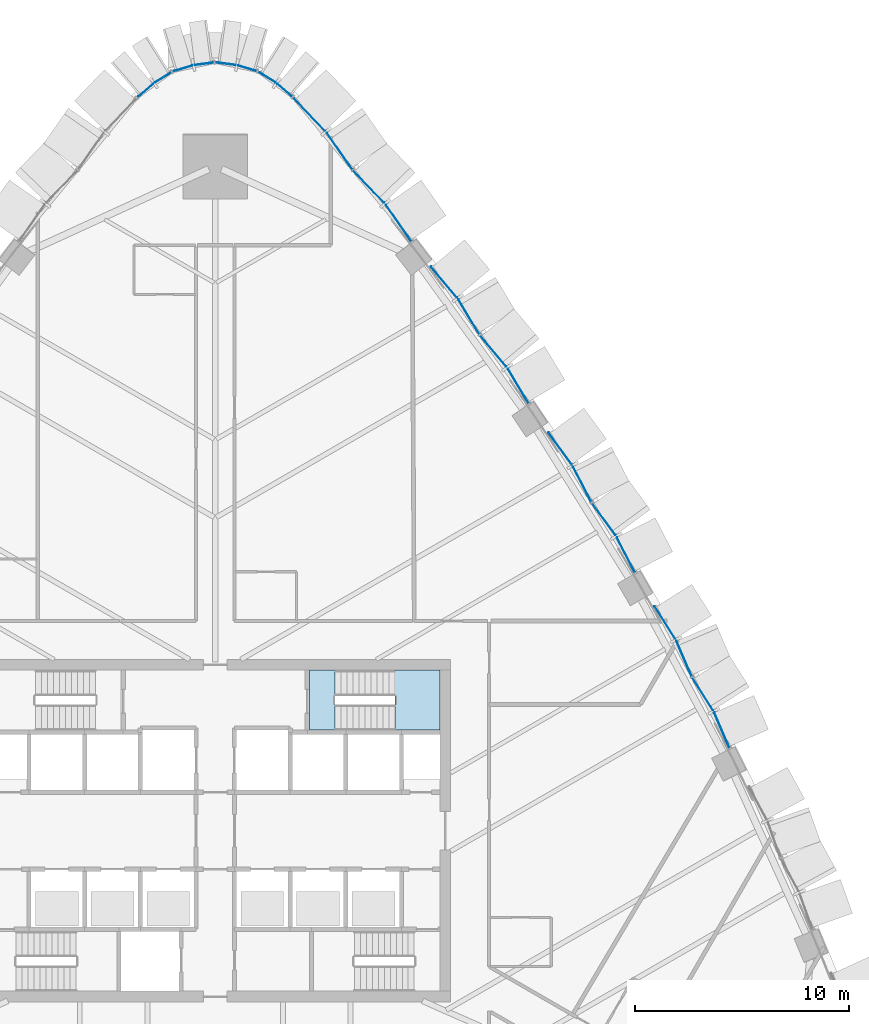
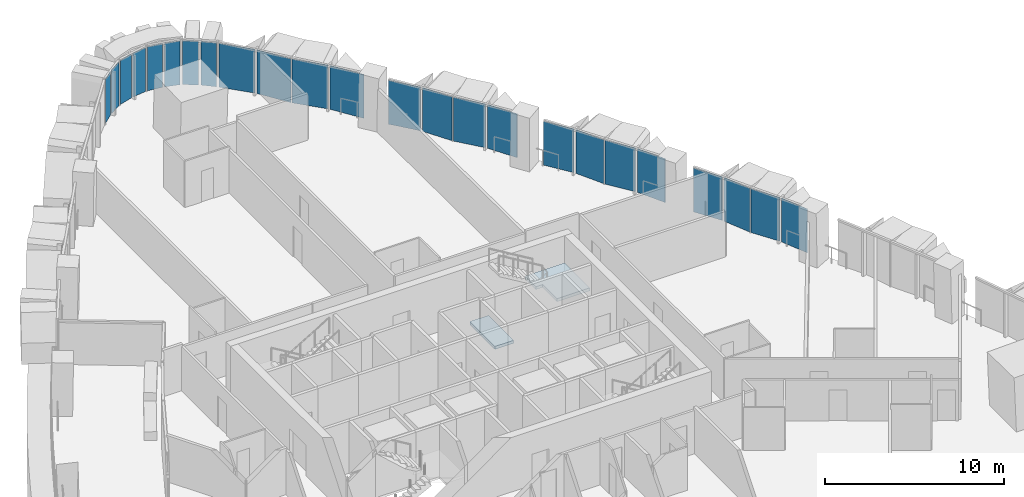
# One storey, part 13 of 24: 24 plates, 2 slabs, 9 elements without a shape of their own.
"""IFC4 building model written with IfcOpenShell, lengths in metres."""

import ifcopenshell
import ifcopenshell.guid

model = None  # the IFC model being written
_history = None  # IfcOwnerHistory: only IFC2X3 demands one
_inside = {}  # id of a spatial element -> (the spatial element, [elements in it])
_under = {}  # id of a project, library or spatial element -> (it, [spatial elements below it])
_declared = {}  # id of a project -> (the project, [libraries it declares])
_typed = {}  # id of a type object -> (the type object, [elements of that type])
_made_of = {}  # id of a material, layer set ... -> (it, [elements and type objects made of it])


def new_model(schema):
    """Start an empty IFC model of exactly this schema.

    Asked for "IFC4X3", IfcOpenShell would pick the latest addendum, in which some entities
    have other attributes; the version numbers below select the first issue.
    IFC2X3 requires an IfcOwnerHistory on every rooted entity: one is made here for all.
    """
    global model, _history
    if schema == "IFC4X3":
        model = ifcopenshell.file(schema_version=(4, 3, 0, 0))
    else:
        model = ifcopenshell.file(schema=schema)
    _inside.clear()
    _under.clear()
    _declared.clear()
    _typed.clear()
    _made_of.clear()
    _history = None
    if model.schema == "IFC2X3":
        org = make("IfcOrganization", Name="unknown")
        user = make(
            "IfcPersonAndOrganization",
            ThePerson=make("IfcPerson", FamilyName="unknown"),
            TheOrganization=org,
        )
        app = make(
            "IfcApplication",
            ApplicationDeveloper=org,
            Version="unknown",
            ApplicationFullName="unknown",
            ApplicationIdentifier="unknown",
        )
        _history = make(
            "IfcOwnerHistory",
            OwningUser=user,
            OwningApplication=app,
            ChangeAction="ADDED",
            CreationDate=0,
        )
    return model


def make(cls, **values):
    """One entity of the class cls with the attributes given. An attribute that is None is left unset."""
    return model.create_entity(
        cls, **{name: value for name, value in values.items() if value is not None}
    )


def rooted(cls, **values):
    """An entity with a GlobalId (a new one), such as an element, a storey or a relation."""
    return make(cls, GlobalId=ifcopenshell.guid.new(), OwnerHistory=_history, **values)


def si_unit(unit_type, name, prefix=None):
    """IfcSIUnit, for example si_unit("LENGTHUNIT", "METRE", prefix="MILLI")."""
    return make("IfcSIUnit", UnitType=unit_type, Prefix=prefix, Name=name)


def assignment(units):
    """IfcUnitAssignment: the units of a project."""
    return None if units is None else make("IfcUnitAssignment", Units=units)


def point(xyz):
    """IfcCartesianPoint."""
    return None if xyz is None else make("IfcCartesianPoint", Coordinates=xyz)


def direction(xyz):
    """IfcDirection."""
    return None if xyz is None else make("IfcDirection", DirectionRatios=xyz)


def frame(location, z_axis=None, x_axis=None):
    """IfcAxis2Placement3D, a coordinate frame: its origin and axes. An axis left out is left unset."""
    return make(
        "IfcAxis2Placement3D",
        Location=point(location),
        Axis=direction(z_axis),
        RefDirection=direction(x_axis),
    )


def origin():
    """The frame at (0, 0, 0) with its axes left unset."""
    return frame((0.0, 0.0, 0.0))


def place(relative_to, where):
    """IfcLocalPlacement: puts the frame where relative to a parent placement (None: the world)."""
    return make(
        "IfcLocalPlacement", PlacementRelTo=relative_to, RelativePlacement=where
    )


def context(
    kind, dimensions, precision=None, world=None, true_north=None, identifier=None
):
    """IfcGeometricRepresentationContext, for example the 3D "Model" context."""
    return make(
        "IfcGeometricRepresentationContext",
        ContextIdentifier=identifier,
        ContextType=kind,
        CoordinateSpaceDimension=dimensions,
        Precision=precision,
        WorldCoordinateSystem=world,
        TrueNorth=true_north,
    )


def subcontext(parent, identifier, kind, view, scale=None):
    """IfcGeometricRepresentationSubContext, for example "Body" below "Model"."""
    return make(
        "IfcGeometricRepresentationSubContext",
        ContextIdentifier=identifier,
        ContextType=kind,
        ParentContext=parent,
        TargetScale=scale,
        TargetView=view,
    )


def project(units=None, contexts=None):
    """IfcProject with its units and contexts."""
    return rooted(
        "IfcProject",
        Name="project",
        RepresentationContexts=contexts,
        UnitsInContext=assignment(units),
    )


def spatial(cls, under=None, at=None, **own):
    """A site, building, storey or space (cls), placed at a placement, below another one or the project."""
    s = rooted(cls, ObjectPlacement=at, **own)
    if under is not None:
        _under.setdefault(under.id(), (under, []))[1].append(s)
    return s


def polyline(points):
    """IfcPolyline through the points."""
    return make("IfcPolyline", Points=[point(p) for p in points])


def outline(outer, holes=None, kind="AREA"):
    """IfcArbitraryClosedProfileDef: a profile drawn as a closed curve; with holes, ...WithVoids."""
    if holes is None:
        return make("IfcArbitraryClosedProfileDef", ProfileType=kind, OuterCurve=outer)
    return make(
        "IfcArbitraryProfileDefWithVoids",
        ProfileType=kind,
        OuterCurve=outer,
        InnerCurves=holes,
    )


def extrude(swept, where, along, depth):
    """IfcExtrudedAreaSolid: the profile swept, set in the frame where, extruded along a direction by depth."""
    return make(
        "IfcExtrudedAreaSolid",
        SweptArea=swept,
        Position=where,
        ExtrudedDirection=direction(along),
        Depth=depth,
    )


def shape(context_of_items, identifier, shape_type, items):
    """IfcShapeRepresentation: the items that make up one representation, for example the "Body"."""
    return make(
        "IfcShapeRepresentation",
        ContextOfItems=context_of_items,
        RepresentationIdentifier=identifier,
        RepresentationType=shape_type,
        Items=items,
    )


def material(Name=None, Category=None):
    """IfcMaterial."""
    return make("IfcMaterial", Name=Name, Category=Category)


def layer(
    of_material, thickness, ventilated=None, Name=None, Category=None, Priority=None
):
    """IfcMaterialLayer: one layer of a wall or slab, of a material (None: an air gap)."""
    return make(
        "IfcMaterialLayer",
        Material=of_material,
        LayerThickness=thickness,
        IsVentilated=ventilated,
        Name=Name,
        Category=Category,
        Priority=Priority,
    )


def layer_set(layers, Name=None):
    """IfcMaterialLayerSet."""
    return make("IfcMaterialLayerSet", MaterialLayers=layers, LayerSetName=Name)


def made_of(thing, what):
    """Note that an element or type object is made of a material, layer set ...; save() writes the relation."""
    if what is not None:
        _made_of.setdefault(what.id(), (what, []))[1].append(thing)
    return thing


def type_object(cls, material=None, **own):
    """A type object (cls), such as IfcWallType, which elements share."""
    return made_of(rooted(cls, **own), material)


def element(
    cls,
    number,
    at=None,
    inside=None,
    cuts=None,
    type_object=None,
    material=None,
    context=None,
    identifier="Body",
    shape_type=None,
    held_by="IfcProductDefinitionShape",
    body=None,
    shapes=None,
    **own,
):
    """One element of the class cls, such as IfcWall. Its Tag is "e" and its number.

    at: its placement. inside: the storey or other place that contains it. cuts: it is an
    opening in that element (IfcRelVoidsElement). A single representation is given by context,
    identifier, shape_type and body (its items); several are given by shapes. held_by: the class
    of the entity that holds the representations. save() writes the other relations.
    """
    e = rooted(cls, Tag="e%d" % number, ObjectPlacement=at, **own)
    if body is not None:
        shapes = [shape(context, identifier, shape_type, body)]
    if shapes is not None:
        e.Representation = make(held_by, Representations=shapes)
    if inside is not None:
        _inside.setdefault(inside.id(), (inside, []))[1].append(e)
    if cuts is not None:
        rooted(
            "IfcRelVoidsElement", RelatingBuildingElement=cuts, RelatedOpeningElement=e
        )
    if type_object is not None:
        _typed.setdefault(type_object.id(), (type_object, []))[1].append(e)
    return made_of(e, material)


def aggregate(whole, parts):
    """IfcRelAggregates: a whole, such as a stair, and the parts it consists of."""
    return rooted("IfcRelAggregates", RelatingObject=whole, RelatedObjects=parts)


def save(model, path):
    """Write the relations noted so far, then the file.

    IfcRelAggregates (storeys below a building ...), IfcRelContainedInSpatialStructure (elements
    in a storey), IfcRelDefinesByType, IfcRelAssociatesMaterial and IfcRelDeclares: one each for
    every whole, place, type object, material and project.
    """
    for whole, parts in _under.values():
        aggregate(whole, parts)
    for where, things in _inside.values():
        rooted(
            "IfcRelContainedInSpatialStructure",
            RelatedElements=things,
            RelatingStructure=where,
        )
    for kind, things in _typed.values():
        rooted("IfcRelDefinesByType", RelatedObjects=things, RelatingType=kind)
    for what, things in _made_of.values():
        rooted("IfcRelAssociatesMaterial", RelatedObjects=things, RelatingMaterial=what)
    for by, libraries in _declared.values():
        rooted("IfcRelDeclares", RelatingContext=by, RelatedDefinitions=libraries)
    model.write(path)


model = new_model("IFC4")

# Units and contexts
model_context = context("Model", 3, precision=1e-05, world=origin(), true_north=direction((0.0, 1.0)))
body_context = subcontext(model_context, "Body", "Model", "MODEL_VIEW")
ifc_project = project(units=[si_unit("LENGTHUNIT", "METRE"), si_unit("AREAUNIT", "SQUARE_METRE"), si_unit("VOLUMEUNIT", "CUBIC_METRE"), si_unit("PLANEANGLEUNIT", "RADIAN"), si_unit("MASSUNIT", "GRAM", prefix="KILO")], contexts=[model_context])

# Site, building, storey
site_placement = place(None, origin())
site = spatial("IfcSite", under=ifc_project, at=site_placement, CompositionType="ELEMENT")
building_placement = place(site_placement, origin())
building = spatial("IfcBuilding", under=site, at=building_placement, Name="Sierra Prisma Convention Tower", CompositionType="ELEMENT")
storey_placement = place(building_placement, frame((0.0, 0.0, 59.10009765625)))
storey = spatial("IfcBuildingStorey", under=building, at=storey_placement, Name="L10", CompositionType="ELEMENT", Elevation=59.10009765625)

# Curtain wall, plates
ifc_material_1 = material(Name="Aluminium and glass curtain wall", Category="aluminium")
ifc_layer_1 = layer(ifc_material_1, 0.179931640625)
ifc_layer_set_1 = layer_set([ifc_layer_1], Name="CW-2 Faceted crystal curtain wall")
curtain_wall_type = type_object("IfcCurtainWallType", Name="CW-2 Faceted crystal curtain wall", PredefinedType="NOTDEFINED", material=ifc_layer_set_1)
curtain_wall_1_placement = place(storey_placement, origin())
curtain_wall_1 = element("IfcCurtainWall", 1, at=curtain_wall_1_placement, inside=storey, type_object=curtain_wall_type, Name="CW-2 NE3 L10", PredefinedType="NOTDEFINED")
ifc_material_2 = material(Name="Tinted glass bronze-grey IGU", Category="glass")
ifc_layer_2 = layer(ifc_material_2, 0.028076171875)
ifc_layer_set_2 = layer_set([ifc_layer_2], Name="CW-2 crystal pane")
plate_type = type_object("IfcPlateType", Name="CW-2 crystal pane", PredefinedType="CURTAIN_PANEL", material=ifc_layer_set_2)
plate_1_placement = place(storey_placement, frame((24.045166015625, 3.87841796875, 0.0), z_axis=(0.917952079129, 0.396691291084, 0.0), x_axis=(-0.396691291084, 0.917952079129, 0.0)))
plate_1 = element("IfcPlate", 2, at=plate_1_placement, type_object=plate_type, Name="CW-2 pane NE3.1.1", PredefinedType="CURTAIN_PANEL", context=body_context, shape_type="SweptSolid", body=[
    extrude(outline(polyline([(0.0, 0.0), (1.7952453687050594, 0.0), (1.7952453687050594, 2.97998046875), (0.0, 2.97998046875), (0.0, 0.0)])), origin(), (0.0, 0.0, -1.0), 0.028076171875),
])
plate_2_placement = place(storey_placement, frame((22.311279296875, 7.1572265625, 0.0), z_axis=(0.844573082444, 0.535440293974, 0.0), x_axis=(0.535440293974, -0.844573082444, 0.0)))
plate_2 = element("IfcPlate", 3, at=plate_2_placement, type_object=plate_type, Name="CW-2 pane NE3.1.2", PredefinedType="CURTAIN_PANEL", context=body_context, shape_type="SweptSolid", body=[
    extrude(outline(polyline([(0.0, 0.0), (1.79512384749833, 0.0), (1.79512384749833, -2.97998046875), (0.0, -2.97998046875), (0.0, 0.0)])), origin(), (0.0, 0.0, -1.0), 0.028076171875),
])
plate_3_placement = place(storey_placement, frame((22.278564453125, 7.21923828125, 0.0), z_axis=(0.917952079129, 0.396691291084, 0.0), x_axis=(-0.396691291084, 0.917952079129, 0.0)))
plate_3 = element("IfcPlate", 4, at=plate_3_placement, type_object=plate_type, Name="CW-2 pane NE3.2.1", PredefinedType="CURTAIN_PANEL", context=body_context, shape_type="SweptSolid", body=[
    extrude(outline(polyline([(0.0, 0.0), (1.7952453687050594, 0.0), (1.7952453687050594, 2.97998046875), (0.0, 2.97998046875), (0.0, 0.0)])), origin(), (0.0, 0.0, -1.0), 0.028076171875),
])
plate_4_placement = place(storey_placement, frame((20.544677734375, 10.498046875, 0.0), z_axis=(0.844612067029, 0.535378796956, 0.0), x_axis=(0.535378796956, -0.844612067029, 0.0)))
plate_4 = element("IfcPlate", 5, at=plate_4_placement, type_object=plate_type, Name="CW-2 pane NE3.2.2", PredefinedType="CURTAIN_PANEL", context=body_context, shape_type="SweptSolid", body=[
    extrude(outline(polyline([(0.0, 0.0), (1.7953300468576698, 0.0), (1.7953300468576698, -2.9799804687499996), (0.0, -2.9799804687499996), (0.0, 0.0)])), origin(), (0.0, 0.0, -1.0), 0.028076171875),
])
aggregate(curtain_wall_1, [plate_1, plate_2, plate_3, plate_4])

curtain_wall_2_placement = place(storey_placement, origin())
curtain_wall_2 = element("IfcCurtainWall", 6, at=curtain_wall_2_placement, inside=storey, type_object=curtain_wall_type, Name="CW-2 NE4 L10", PredefinedType="NOTDEFINED")
plate_5_placement = place(storey_placement, frame((19.626220703125, 12.06982421875, 0.0), z_axis=(0.889266295341, 0.457389829326, 0.0), x_axis=(-0.457389829326, 0.889266295341, 0.0)))
plate_5 = element("IfcPlate", 7, at=plate_5_placement, type_object=plate_type, Name="CW-2 pane NE4.1.1", PredefinedType="CURTAIN_PANEL", context=body_context, shape_type="SweptSolid", body=[
    extrude(outline(polyline([(0.0, 0.0), (1.8468415962464484, 0.0), (1.8468415962464484, 2.97998046875), (0.0, 2.97998046875), (0.0, 0.0)])), origin(), (0.0, 0.0, -1.0), 0.028076171875),
])
plate_6_placement = place(storey_placement, frame((17.6220703125, 15.3125, 0.0), z_axis=(0.80675366825, 0.590887907107, 0.0), x_axis=(0.590887907107, -0.80675366825, 0.0)))
plate_6 = element("IfcPlate", 8, at=plate_6_placement, type_object=plate_type, Name="CW-2 pane NE4.1.2", PredefinedType="CURTAIN_PANEL", context=body_context, shape_type="SweptSolid", body=[
    extrude(outline(polyline([(0.0, 0.0), (1.8468961382074172, 0.0), (1.8468961382074172, -2.9799804687500004), (0.0, -2.9799804687500004), (0.0, 0.0)])), origin(), (0.0, 0.0, -1.0), 0.028076171875),
])
plate_7_placement = place(storey_placement, frame((17.585205078125, 15.3720703125, 0.0), z_axis=(0.889293946085, 0.457336066209, 0.0), x_axis=(-0.457336066209, 0.889293946085, 0.0)))
plate_7 = element("IfcPlate", 9, at=plate_7_placement, type_object=plate_type, Name="CW-2 pane NE4.2.1", PredefinedType="CURTAIN_PANEL", context=body_context, shape_type="SweptSolid", body=[
    extrude(outline(polyline([(0.0, 0.0), (1.8470587056511176, 0.0), (1.8470587056511176, 2.97998046875), (0.0, 2.97998046875), (0.0, 0.0)])), origin(), (0.0, 0.0, -1.0), 0.028076171875),
])
plate_8_placement = place(storey_placement, frame((15.5810546875, 18.614990234375, 0.0), z_axis=(0.806799814701, 0.59082489707, 0.0), x_axis=(0.59082489707, -0.806799814701, 0.0)))
plate_8 = element("IfcPlate", 10, at=plate_8_placement, type_object=plate_type, Name="CW-2 pane NE4.2.2", PredefinedType="CURTAIN_PANEL", context=body_context, shape_type="SweptSolid", body=[
    extrude(outline(polyline([(0.0, 0.0), (1.8470931051856165, 0.0), (1.8470931051856165, -2.97998046875), (0.0, -2.97998046875), (0.0, 0.0)])), origin(), (0.0, 0.0, -1.0), 0.028076171875),
])
aggregate(curtain_wall_2, [plate_5, plate_6, plate_7, plate_8])

curtain_wall_3_placement = place(storey_placement, origin())
curtain_wall_3 = element("IfcCurtainWall", 11, at=curtain_wall_3_placement, inside=storey, type_object=curtain_wall_type, Name="CW-2 NE5 L10", PredefinedType="NOTDEFINED")
plate_9_placement = place(storey_placement, frame((14.659423828125, 19.981201171875, 0.0), z_axis=(0.856591289348, 0.515995506777, 0.0), x_axis=(-0.515995506777, 0.856591289348, 0.0)))
plate_9 = element("IfcPlate", 12, at=plate_9_placement, type_object=plate_type, Name="CW-2 pane NE5.1.1", PredefinedType="CURTAIN_PANEL", context=body_context, shape_type="SweptSolid", body=[
    extrude(outline(polyline([(0.0, 0.0), (1.8902137403629105, 0.0), (1.8902137403629105, 2.97998046875), (0.0, 2.97998046875), (0.0, 0.0)])), origin(), (0.0, 0.0, -1.0), 0.028076171875),
])
plate_10_placement = place(storey_placement, frame((12.391845703125, 23.15234375, 0.0), z_axis=(0.765312926536, 0.643658391133, 0.0), x_axis=(0.643658391133, -0.765312926536, 0.0)))
plate_10 = element("IfcPlate", 13, at=plate_10_placement, type_object=plate_type, Name="CW-2 pane NE5.1.2", PredefinedType="CURTAIN_PANEL", context=body_context, shape_type="SweptSolid", body=[
    extrude(outline(polyline([(0.0, 0.0), (1.8904389218903825, 0.0), (1.8904389218903825, -2.97998046875), (0.0, -2.97998046875), (0.0, 0.0)])), origin(), (0.0, 0.0, -1.0), 0.028076171875),
])
plate_11_placement = place(storey_placement, frame((12.351318359375, 23.209228515625, 0.0), z_axis=(0.8565341994, 0.516090268517, 0.0), x_axis=(-0.516090268517, 0.8565341994, 0.0)))
plate_11 = element("IfcPlate", 14, at=plate_11_placement, type_object=plate_type, Name="CW-2 pane NE5.2.1", PredefinedType="CURTAIN_PANEL", context=body_context, shape_type="SweptSolid", body=[
    extrude(outline(polyline([(0.0, 0.0), (1.8903397273964129, 0.0), (1.8903397273964129, 2.97998046875), (0.0, 2.97998046875), (0.0, 0.0)])), origin(), (0.0, 0.0, -1.0), 0.028076171875),
])
plate_12_placement = place(storey_placement, frame((10.083740234375, 26.38037109375, 0.0), z_axis=(0.765259414354, 0.643722012007, 0.0), x_axis=(0.643722012007, -0.765259414354, 0.0)))
plate_12 = element("IfcPlate", 15, at=plate_12_placement, type_object=plate_type, Name="CW-2 pane NE5.2.2", PredefinedType="CURTAIN_PANEL", context=body_context, shape_type="SweptSolid", body=[
    extrude(outline(polyline([(0.0, 0.0), (1.8902520844461033, 0.0), (1.8902520844461033, -2.97998046875), (0.0, -2.97998046875), (0.0, 0.0)])), origin(), (0.0, 0.0, -1.0), 0.028076171875),
])
aggregate(curtain_wall_3, [plate_9, plate_10, plate_11, plate_12])

curtain_wall_4_placement = place(storey_placement, origin())
curtain_wall_4 = element("IfcCurtainWall", 16, at=curtain_wall_4_placement, inside=storey, type_object=curtain_wall_type, Name="CW-2 NE6 L10", PredefinedType="NOTDEFINED")
plate_13_placement = place(storey_placement, frame((9.17919921875, 27.552001953125, 0.0), z_axis=(0.819974693186, 0.5723997751, 0.0), x_axis=(-0.5723997751, 0.819974693186, 0.0)))
plate_13 = element("IfcPlate", 17, at=plate_13_placement, type_object=plate_type, Name="CW-2 pane NE6.1.1", PredefinedType="CURTAIN_PANEL", context=body_context, shape_type="SweptSolid", body=[
    extrude(outline(polyline([(0.0, 0.0), (2.082702900549157, 0.0), (2.082702900549157, 2.97998046875), (0.0, 2.97998046875), (0.0, 0.0)])), origin(), (0.0, 0.0, -1.0), 0.028076171875),
])
plate_14_placement = place(storey_placement, frame((6.4599609375, 30.8603515625, 0.0), z_axis=(0.72034190232, 0.693619163347, 0.0), x_axis=(0.693619163347, -0.72034190232, 0.0)))
plate_14 = element("IfcPlate", 18, at=plate_14_placement, type_object=plate_type, Name="CW-2 pane NE6.1.2", PredefinedType="CURTAIN_PANEL", context=body_context, shape_type="SweptSolid", body=[
    extrude(outline(polyline([(0.0, 0.0), (2.0830223487171535, 0.0), (2.0830223487171535, -2.97998046875), (0.0, -2.97998046875), (0.0, 0.0)])), origin(), (0.0, 0.0, -1.0), 0.028076171875),
])
plate_15_placement = place(storey_placement, frame((6.41552734375, 30.914306640625, 0.0), z_axis=(0.82001309476, 0.572344760107, 0.0), x_axis=(-0.572344760107, 0.82001309476, 0.0)))
plate_15 = element("IfcPlate", 19, at=plate_15_placement, type_object=plate_type, Name="CW-2 pane NE6.2.1", PredefinedType="CURTAIN_PANEL", context=body_context, shape_type="SweptSolid", body=[
    extrude(outline(polyline([(0.0, 0.0), (2.0829030943711535, 0.0), (2.0829030943711535, 2.9799804687500004), (0.0, 2.9799804687500004), (0.0, 0.0)])), origin(), (0.0, 0.0, -1.0), 0.028076171875),
])
plate_16_placement = place(storey_placement, frame((3.696533203125, 34.22265625, 0.0), z_axis=(0.720344075118, 0.693616906831, 0.0), x_axis=(0.693616906831, -0.720344075118, 0.0)))
plate_16 = element("IfcPlate", 20, at=plate_16_placement, type_object=plate_type, Name="CW-2 pane NE6.2.2", PredefinedType="CURTAIN_PANEL", context=body_context, shape_type="SweptSolid", body=[
    extrude(outline(polyline([(0.0, 0.0), (2.0826771433890747, 0.0), (2.0826771433890747, -2.97998046875), (0.0, -2.97998046875), (0.0, 0.0)])), origin(), (0.0, 0.0, -1.0), 0.028076171875),
])
aggregate(curtain_wall_4, [plate_13, plate_14, plate_15, plate_16])

curtain_wall_5_placement = place(storey_placement, origin())
curtain_wall_5 = element("IfcCurtainWall", 21, at=curtain_wall_5_placement, inside=storey, type_object=curtain_wall_type, Name="CW-2 N1 L10", PredefinedType="NOTDEFINED")
plate_17_placement = place(storey_placement, frame((3.595947265625, 34.318603515625, 0.0), z_axis=(0.655887607971, 0.75485856007, 0.0), x_axis=(-0.75485856007, 0.655887607971, 0.0)))
plate_17 = element("IfcPlate", 22, at=plate_17_placement, type_object=plate_type, Name="CW-2 pane N1.1.1", PredefinedType="CURTAIN_PANEL", context=body_context, shape_type="SweptSolid", body=[
    extrude(outline(polyline([(0.0, 0.0), (0.8929782362973879, 0.0), (0.8929782362973879, 2.97998046875), (0.0, 2.97998046875), (0.0, 0.0)])), origin(), (0.0, 0.0, -1.0), 0.028076171875),
])
plate_18_placement = place(storey_placement, frame((2.060302734375, 35.45458984375, 0.0), z_axis=(0.529851479671, 0.848090448885, 0.0), x_axis=(0.848090448885, -0.529851479671, 0.0)))
plate_18 = element("IfcPlate", 23, at=plate_18_placement, type_object=plate_type, Name="CW-2 pane N1.1.2", PredefinedType="CURTAIN_PANEL", context=body_context, shape_type="SweptSolid", body=[
    extrude(outline(polyline([(0.0, 0.0), (0.8929757666124428, 0.0), (0.8929757666124428, -2.97998046875), (0.0, -2.97998046875), (0.0, 0.0)])), origin(), (0.0, 0.0, -1.0), 0.028076171875),
])
aggregate(curtain_wall_5, [plate_17, plate_18])

curtain_wall_6_placement = place(storey_placement, origin())
curtain_wall_6 = element("IfcCurtainWall", 24, at=curtain_wall_6_placement, inside=storey, type_object=curtain_wall_type, Name="CW-2 N2 L10", PredefinedType="NOTDEFINED")
plate_19_placement = place(storey_placement, frame((1.935546875, 35.510986328125, 0.0), z_axis=(0.286796022478, 0.957991670888, 0.0), x_axis=(-0.957991670888, 0.286796022478, 0.0)))
plate_19 = element("IfcPlate", 25, at=plate_19_placement, type_object=plate_type, Name="CW-2 pane N2.1.1", PredefinedType="CURTAIN_PANEL", context=body_context, shape_type="SweptSolid", body=[
    extrude(outline(polyline([(0.0, 0.0), (0.8929814068288585, 0.0), (0.8929814068288585, 2.97998046875), (0.0, 2.97998046875), (0.0, 0.0)])), origin(), (0.0, 0.0, -1.0), 0.028076171875),
])
plate_20_placement = place(storey_placement, frame((0.068359375, 35.913330078125, 0.0), z_axis=(0.133417176173, 0.991059966451, 0.0), x_axis=(0.991059966451, -0.133417176173, 0.0)))
plate_20 = element("IfcPlate", 26, at=plate_20_placement, type_object=plate_type, Name="CW-2 pane N2.1.2", PredefinedType="CURTAIN_PANEL", context=body_context, shape_type="SweptSolid", body=[
    extrude(outline(polyline([(0.0, 0.0), (0.89299315438418, 0.0), (0.89299315438418, -2.97998046875), (0.0, -2.97998046875), (0.0, 0.0)])), origin(), (0.0, 0.0, -1.0), 0.028076171875),
])
aggregate(curtain_wall_6, [plate_19, plate_20])

curtain_wall_7_placement = place(storey_placement, origin())
curtain_wall_7 = element("IfcCurtainWall", 27, at=curtain_wall_7_placement, inside=storey, type_object=curtain_wall_type, Name="CW-2 N3 L10", PredefinedType="NOTDEFINED")
plate_21_placement = place(storey_placement, frame((-0.068359375, 35.913330078125, 0.0), z_axis=(-0.133417176173, 0.991059966451, 0.0), x_axis=(-0.991059966451, -0.133417176173, 0.0)))
plate_21 = element("IfcPlate", 28, at=plate_21_placement, type_object=plate_type, Name="CW-2 pane N3.1.1", PredefinedType="CURTAIN_PANEL", context=body_context, shape_type="SweptSolid", body=[
    extrude(outline(polyline([(0.0, 0.0), (0.89299315438418, 0.0), (0.89299315438418, 2.97998046875), (0.0, 2.97998046875), (0.0, 0.0)])), origin(), (0.0, 0.0, -1.0), 0.028076171875),
])
plate_22_placement = place(storey_placement, frame((-1.935546875, 35.510986328125, 0.0), z_axis=(-0.286796022478, 0.957991670888, 0.0), x_axis=(0.957991670888, 0.286796022478, 0.0)))
plate_22 = element("IfcPlate", 29, at=plate_22_placement, type_object=plate_type, Name="CW-2 pane N3.1.2", PredefinedType="CURTAIN_PANEL", context=body_context, shape_type="SweptSolid", body=[
    extrude(outline(polyline([(0.0, 0.0), (0.8929814068288585, 0.0), (0.8929814068288585, -2.97998046875), (0.0, -2.97998046875), (0.0, 0.0)])), origin(), (0.0, 0.0, -1.0), 0.028076171875),
])
aggregate(curtain_wall_7, [plate_21, plate_22])

curtain_wall_8_placement = place(storey_placement, origin())
curtain_wall_8 = element("IfcCurtainWall", 30, at=curtain_wall_8_placement, inside=storey, type_object=curtain_wall_type, Name="CW-2 N4 L10", PredefinedType="NOTDEFINED")
plate_23_placement = place(storey_placement, frame((-2.060302734375, 35.45458984375, 0.0), z_axis=(-0.529851479671, 0.848090448885, 0.0), x_axis=(-0.848090448885, -0.529851479671, 0.0)))
plate_23 = element("IfcPlate", 31, at=plate_23_placement, type_object=plate_type, Name="CW-2 pane N4.1.1", PredefinedType="CURTAIN_PANEL", context=body_context, shape_type="SweptSolid", body=[
    extrude(outline(polyline([(0.0, 0.0), (0.8929757666124428, 0.0), (0.8929757666124428, 2.97998046875), (0.0, 2.97998046875), (0.0, 0.0)])), origin(), (0.0, 0.0, -1.0), 0.028076171875),
])
plate_24_placement = place(storey_placement, frame((-3.595947265625, 34.318603515625, 0.0), z_axis=(-0.655887607971, 0.75485856007, 0.0), x_axis=(0.75485856007, 0.655887607971, 0.0)))
plate_24 = element("IfcPlate", 32, at=plate_24_placement, type_object=plate_type, Name="CW-2 pane N4.1.2", PredefinedType="CURTAIN_PANEL", context=body_context, shape_type="SweptSolid", body=[
    extrude(outline(polyline([(0.0, 0.0), (0.8929782362973879, 0.0), (0.8929782362973879, -2.97998046875), (0.0, -2.97998046875), (0.0, 0.0)])), origin(), (0.0, 0.0, -1.0), 0.028076171875),
])
aggregate(curtain_wall_8, [plate_23, plate_24])

# Stair, slab
ifc_material_3 = material(Name="Concrete C30/37", Category="concrete")
stair_type = type_object("IfcStairType", Name="Stair dog-leg 1200 RC", PredefinedType="HALF_TURN_STAIR", material=ifc_material_3)
stair_placement = place(storey_placement, origin())
stair = element("IfcStair", 33, at=stair_placement, inside=storey, type_object=stair_type, Name="L10 S4", PredefinedType="HALF_TURN_STAIR")
ifc_material_4 = material(Name="Concrete C35/45", Category="concrete")
ifc_layer_3 = layer(ifc_material_4, 0.199951171875)
ifc_layer_set_3 = layer_set([ifc_layer_3], Name="Stair landing slab")
slab_type = type_object("IfcSlabType", Name="Stair landing slab", PredefinedType="LANDING", material=ifc_layer_set_3)
slab_1_placement = place(storey_placement, frame((0.0, 0.0, 1.64990234375)))
slab_1 = element("IfcSlab", 34, at=slab_1_placement, type_object=slab_type, Name="S4 landing 1", PredefinedType="LANDING", context=body_context, shape_type="SweptSolid", body=[
    extrude(outline(polyline([(10.5, 7.5), (10.5, 4.699951171875), (8.39794921875, 4.699951171875), (8.39794921875, 6.300048828125), (7.949951171875, 6.300048828125), (7.949951171875, 7.5), (10.5, 7.5)])), origin(), (0.0, 0.0, 1.0), 0.199951171875),
])
aggregate(stair, [slab_1])

# Slab
slab_2_placement = place(storey_placement, frame((0.0, 0.0, -0.2001953125)))
element("IfcSlab", 35, at=slab_2_placement, inside=storey, type_object=slab_type, Name="S4 floor landing L10", PredefinedType="LANDING", context=body_context, shape_type="SweptSolid", body=[
    extrude(outline(polyline([(4.39990234375, 4.699951171875), (5.60205078125, 4.699951171875), (5.60205078125, 7.5), (4.39990234375, 7.5), (4.39990234375, 4.699951171875)])), origin(), (0.0, 0.0, 1.0), 0.2001953125),
])

save(model, "model.ifc")
